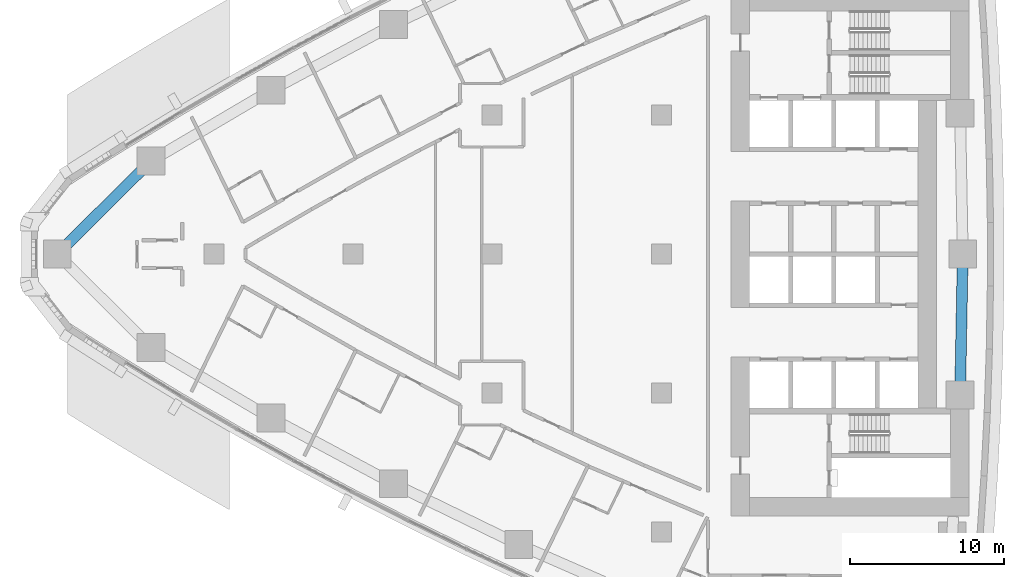
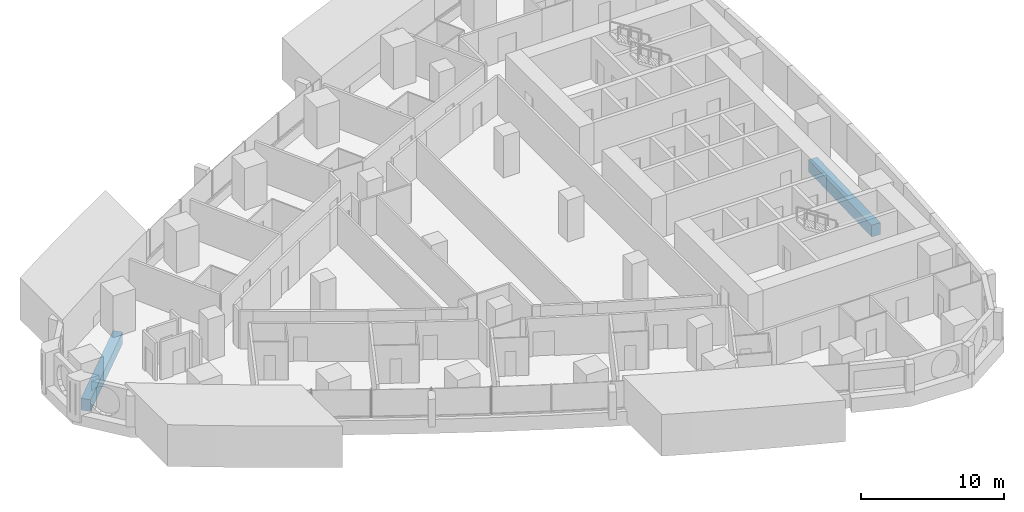
# One storey, part 4 of 19: 2 beams.
"""IFC4 building model written with IfcOpenShell, lengths in metres."""

import ifcopenshell
import ifcopenshell.guid

model = None  # the IFC model being written
_history = None  # IfcOwnerHistory: only IFC2X3 demands one
_inside = {}  # id of a spatial element -> (the spatial element, [elements in it])
_under = {}  # id of a project, library or spatial element -> (it, [spatial elements below it])
_declared = {}  # id of a project -> (the project, [libraries it declares])
_typed = {}  # id of a type object -> (the type object, [elements of that type])
_made_of = {}  # id of a material, layer set ... -> (it, [elements and type objects made of it])


def new_model(schema):
    """Start an empty IFC model of exactly this schema.

    Asked for "IFC4X3", IfcOpenShell would pick the latest addendum, in which some entities
    have other attributes; the version numbers below select the first issue.
    IFC2X3 requires an IfcOwnerHistory on every rooted entity: one is made here for all.
    """
    global model, _history
    if schema == "IFC4X3":
        model = ifcopenshell.file(schema_version=(4, 3, 0, 0))
    else:
        model = ifcopenshell.file(schema=schema)
    _inside.clear()
    _under.clear()
    _declared.clear()
    _typed.clear()
    _made_of.clear()
    _history = None
    if model.schema == "IFC2X3":
        org = make("IfcOrganization", Name="unknown")
        user = make(
            "IfcPersonAndOrganization",
            ThePerson=make("IfcPerson", FamilyName="unknown"),
            TheOrganization=org,
        )
        app = make(
            "IfcApplication",
            ApplicationDeveloper=org,
            Version="unknown",
            ApplicationFullName="unknown",
            ApplicationIdentifier="unknown",
        )
        _history = make(
            "IfcOwnerHistory",
            OwningUser=user,
            OwningApplication=app,
            ChangeAction="ADDED",
            CreationDate=0,
        )
    return model


def make(cls, **values):
    """One entity of the class cls with the attributes given. An attribute that is None is left unset."""
    return model.create_entity(
        cls, **{name: value for name, value in values.items() if value is not None}
    )


def rooted(cls, **values):
    """An entity with a GlobalId (a new one), such as an element, a storey or a relation."""
    return make(cls, GlobalId=ifcopenshell.guid.new(), OwnerHistory=_history, **values)


def si_unit(unit_type, name, prefix=None):
    """IfcSIUnit, for example si_unit("LENGTHUNIT", "METRE", prefix="MILLI")."""
    return make("IfcSIUnit", UnitType=unit_type, Prefix=prefix, Name=name)


def assignment(units):
    """IfcUnitAssignment: the units of a project."""
    return None if units is None else make("IfcUnitAssignment", Units=units)


def point(xyz):
    """IfcCartesianPoint."""
    return None if xyz is None else make("IfcCartesianPoint", Coordinates=xyz)


def direction(xyz):
    """IfcDirection."""
    return None if xyz is None else make("IfcDirection", DirectionRatios=xyz)


def frame(location, z_axis=None, x_axis=None):
    """IfcAxis2Placement3D, a coordinate frame: its origin and axes. An axis left out is left unset."""
    return make(
        "IfcAxis2Placement3D",
        Location=point(location),
        Axis=direction(z_axis),
        RefDirection=direction(x_axis),
    )


def frame_2d(location, x_axis=None):
    """IfcAxis2Placement2D, a coordinate frame in the plane: its origin and x axis."""
    return make(
        "IfcAxis2Placement2D", Location=point(location), RefDirection=direction(x_axis)
    )


def origin():
    """The frame at (0, 0, 0) with its axes left unset."""
    return frame((0.0, 0.0, 0.0))


def origin_2d():
    """The frame at (0, 0) in the plane with its x axis left unset."""
    return frame_2d((0.0, 0.0))


def place(relative_to, where):
    """IfcLocalPlacement: puts the frame where relative to a parent placement (None: the world)."""
    return make(
        "IfcLocalPlacement", PlacementRelTo=relative_to, RelativePlacement=where
    )


def context(
    kind, dimensions, precision=None, world=None, true_north=None, identifier=None
):
    """IfcGeometricRepresentationContext, for example the 3D "Model" context."""
    return make(
        "IfcGeometricRepresentationContext",
        ContextIdentifier=identifier,
        ContextType=kind,
        CoordinateSpaceDimension=dimensions,
        Precision=precision,
        WorldCoordinateSystem=world,
        TrueNorth=true_north,
    )


def subcontext(parent, identifier, kind, view, scale=None):
    """IfcGeometricRepresentationSubContext, for example "Body" below "Model"."""
    return make(
        "IfcGeometricRepresentationSubContext",
        ContextIdentifier=identifier,
        ContextType=kind,
        ParentContext=parent,
        TargetScale=scale,
        TargetView=view,
    )


def project(units=None, contexts=None):
    """IfcProject with its units and contexts."""
    return rooted(
        "IfcProject",
        Name="project",
        RepresentationContexts=contexts,
        UnitsInContext=assignment(units),
    )


def spatial(cls, under=None, at=None, **own):
    """A site, building, storey or space (cls), placed at a placement, below another one or the project."""
    s = rooted(cls, ObjectPlacement=at, **own)
    if under is not None:
        _under.setdefault(under.id(), (under, []))[1].append(s)
    return s


def profile(cls, at=None, kind="AREA", **sizes):
    """A parametric profile (cls). Its sizes go by their IFC names, for example OverallWidth=200.0."""
    return make(cls, ProfileType=kind, Position=at, **sizes)


def rectangle(**sizes):
    """IfcRectangleProfileDef."""
    return profile("IfcRectangleProfileDef", **sizes)


def extrude(swept, where, along, depth):
    """IfcExtrudedAreaSolid: the profile swept, set in the frame where, extruded along a direction by depth."""
    return make(
        "IfcExtrudedAreaSolid",
        SweptArea=swept,
        Position=where,
        ExtrudedDirection=direction(along),
        Depth=depth,
    )


def shape(context_of_items, identifier, shape_type, items):
    """IfcShapeRepresentation: the items that make up one representation, for example the "Body"."""
    return make(
        "IfcShapeRepresentation",
        ContextOfItems=context_of_items,
        RepresentationIdentifier=identifier,
        RepresentationType=shape_type,
        Items=items,
    )


def material(Name=None, Category=None):
    """IfcMaterial."""
    return make("IfcMaterial", Name=Name, Category=Category)


def material_profile(
    of_material, cross_section, Name=None, Category=None, Priority=None
):
    """IfcMaterialProfile: a cross section and its material."""
    return make(
        "IfcMaterialProfile",
        Name=Name,
        Material=of_material,
        Profile=cross_section,
        Priority=Priority,
        Category=Category,
    )


def profile_set(profiles, Name=None, composite=None):
    """IfcMaterialProfileSet."""
    return make(
        "IfcMaterialProfileSet",
        Name=Name,
        MaterialProfiles=profiles,
        CompositeProfile=composite,
    )


def made_of(thing, what):
    """Note that an element or type object is made of a material, layer set ...; save() writes the relation."""
    if what is not None:
        _made_of.setdefault(what.id(), (what, []))[1].append(thing)
    return thing


def type_object(cls, material=None, **own):
    """A type object (cls), such as IfcWallType, which elements share."""
    return made_of(rooted(cls, **own), material)


def element(
    cls,
    number,
    at=None,
    inside=None,
    cuts=None,
    type_object=None,
    material=None,
    context=None,
    identifier="Body",
    shape_type=None,
    held_by="IfcProductDefinitionShape",
    body=None,
    shapes=None,
    **own,
):
    """One element of the class cls, such as IfcWall. Its Tag is "e" and its number.

    at: its placement. inside: the storey or other place that contains it. cuts: it is an
    opening in that element (IfcRelVoidsElement). A single representation is given by context,
    identifier, shape_type and body (its items); several are given by shapes. held_by: the class
    of the entity that holds the representations. save() writes the other relations.
    """
    e = rooted(cls, Tag="e%d" % number, ObjectPlacement=at, **own)
    if body is not None:
        shapes = [shape(context, identifier, shape_type, body)]
    if shapes is not None:
        e.Representation = make(held_by, Representations=shapes)
    if inside is not None:
        _inside.setdefault(inside.id(), (inside, []))[1].append(e)
    if cuts is not None:
        rooted(
            "IfcRelVoidsElement", RelatingBuildingElement=cuts, RelatedOpeningElement=e
        )
    if type_object is not None:
        _typed.setdefault(type_object.id(), (type_object, []))[1].append(e)
    return made_of(e, material)


def aggregate(whole, parts):
    """IfcRelAggregates: a whole, such as a stair, and the parts it consists of."""
    return rooted("IfcRelAggregates", RelatingObject=whole, RelatedObjects=parts)


def save(model, path):
    """Write the relations noted so far, then the file.

    IfcRelAggregates (storeys below a building ...), IfcRelContainedInSpatialStructure (elements
    in a storey), IfcRelDefinesByType, IfcRelAssociatesMaterial and IfcRelDeclares: one each for
    every whole, place, type object, material and project.
    """
    for whole, parts in _under.values():
        aggregate(whole, parts)
    for where, things in _inside.values():
        rooted(
            "IfcRelContainedInSpatialStructure",
            RelatedElements=things,
            RelatingStructure=where,
        )
    for kind, things in _typed.values():
        rooted("IfcRelDefinesByType", RelatedObjects=things, RelatingType=kind)
    for what, things in _made_of.values():
        rooted("IfcRelAssociatesMaterial", RelatedObjects=things, RelatingMaterial=what)
    for by, libraries in _declared.values():
        rooted("IfcRelDeclares", RelatingContext=by, RelatedDefinitions=libraries)
    model.write(path)


model = new_model("IFC4")

# Units and contexts
model_context = context("Model", 3, precision=1e-05, world=origin(), true_north=direction((0.0, 1.0)))
body_context = subcontext(model_context, "Body", "Model", "MODEL_VIEW")
ifc_project = project(units=[si_unit("LENGTHUNIT", "METRE"), si_unit("AREAUNIT", "SQUARE_METRE"), si_unit("VOLUMEUNIT", "CUBIC_METRE"), si_unit("PLANEANGLEUNIT", "RADIAN"), si_unit("MASSUNIT", "GRAM", prefix="KILO")], contexts=[model_context])

# Site, building, storey
site_placement = place(None, origin())
site = spatial("IfcSite", under=ifc_project, at=site_placement, CompositionType="ELEMENT")
building_placement = place(site_placement, origin())
building = spatial("IfcBuilding", under=site, at=building_placement, Name="Ostrand Prow Hotel Tower", CompositionType="ELEMENT")
storey_placement = place(building_placement, frame((0.0, 0.0, 53.800048828125)))
storey = spatial("IfcBuildingStorey", under=building, at=storey_placement, Name="L11", CompositionType="ELEMENT", Elevation=53.800048828125)

# Beams
ifc_material = material(Name="Concrete C80/95", Category="concrete")
ifc_material_profile = material_profile(ifc_material, rectangle(XDim=0.699951171875, YDim=1.0, at=origin_2d()), Name="RC 700x1000")
ifc_profile_set = profile_set([ifc_material_profile], Name="Concrete C80/95")
beam_type = type_object("IfcBeamType", Name="Edge beam 700x1000 C80/95", PredefinedType="SPANDREL", material=ifc_profile_set)
beam_1_placement = place(storey_placement, frame((64.328369140625, -9.130859375, -0.800048828125), z_axis=(0.018793471688, 0.999823387115, 0.0), x_axis=(-0.999823387115, 0.018793471688, 0.0)))
element("IfcBeam", 1, at=beam_1_placement, inside=storey, type_object=beam_type, Name="Edge beam B2-B3", PredefinedType="SPANDREL", context=body_context, shape_type="SweptSolid", body=[
    extrude(rectangle(XDim=0.699951171875, YDim=1.0, at=origin_2d()), origin(), (0.0, 0.0, 1.0), 9.132568359375),
])
beam_2_placement = place(storey_placement, frame((11.926513671875, 6.0419921875, -0.800048828125), z_axis=(-0.709211674915, -0.70499560294, 0.0), x_axis=(0.70499560294, -0.709211674915, 0.0)))
element("IfcBeam", 2, at=beam_2_placement, inside=storey, type_object=beam_type, Name="Edge beam N6-P", PredefinedType="SPANDREL", context=body_context, shape_type="SweptSolid", body=[
    extrude(rectangle(XDim=0.699951171875, YDim=1.0, at=origin_2d()), origin(), (0.0, 0.0, 1.0), 8.5703125),
])

save(model, "model.ifc")
